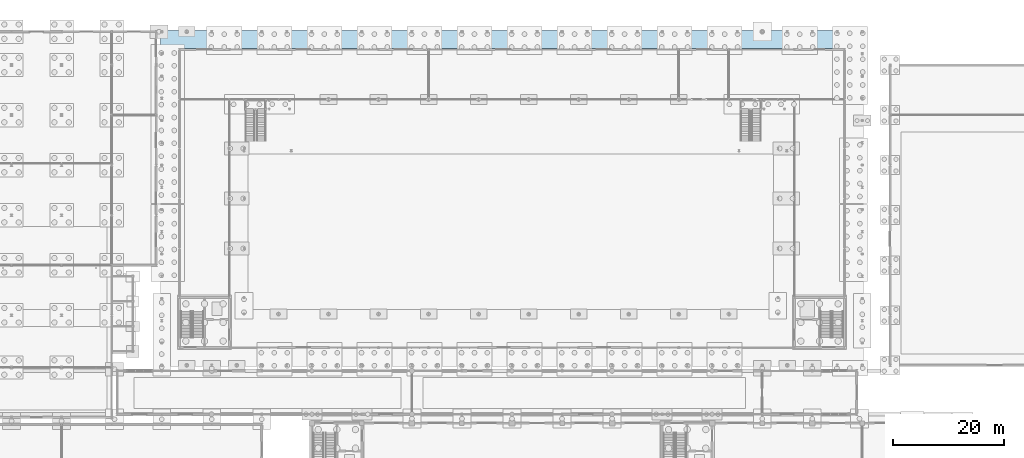
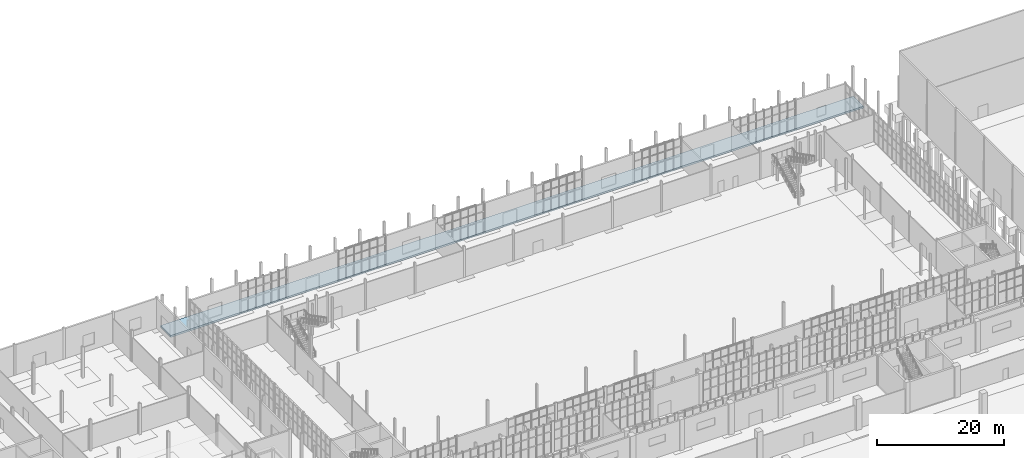
# One storey, part 87 of 131: 1 slab.
"""IFC4 building model written with IfcOpenShell, lengths in metres."""

import ifcopenshell
import ifcopenshell.guid

model = None  # the IFC model being written
_history = None  # IfcOwnerHistory: only IFC2X3 demands one
_inside = {}  # id of a spatial element -> (the spatial element, [elements in it])
_under = {}  # id of a project, library or spatial element -> (it, [spatial elements below it])
_declared = {}  # id of a project -> (the project, [libraries it declares])
_typed = {}  # id of a type object -> (the type object, [elements of that type])
_made_of = {}  # id of a material, layer set ... -> (it, [elements and type objects made of it])


def new_model(schema):
    """Start an empty IFC model of exactly this schema.

    Asked for "IFC4X3", IfcOpenShell would pick the latest addendum, in which some entities
    have other attributes; the version numbers below select the first issue.
    IFC2X3 requires an IfcOwnerHistory on every rooted entity: one is made here for all.
    """
    global model, _history
    if schema == "IFC4X3":
        model = ifcopenshell.file(schema_version=(4, 3, 0, 0))
    else:
        model = ifcopenshell.file(schema=schema)
    _inside.clear()
    _under.clear()
    _declared.clear()
    _typed.clear()
    _made_of.clear()
    _history = None
    if model.schema == "IFC2X3":
        org = make("IfcOrganization", Name="unknown")
        user = make(
            "IfcPersonAndOrganization",
            ThePerson=make("IfcPerson", FamilyName="unknown"),
            TheOrganization=org,
        )
        app = make(
            "IfcApplication",
            ApplicationDeveloper=org,
            Version="unknown",
            ApplicationFullName="unknown",
            ApplicationIdentifier="unknown",
        )
        _history = make(
            "IfcOwnerHistory",
            OwningUser=user,
            OwningApplication=app,
            ChangeAction="ADDED",
            CreationDate=0,
        )
    return model


def make(cls, **values):
    """One entity of the class cls with the attributes given. An attribute that is None is left unset."""
    return model.create_entity(
        cls, **{name: value for name, value in values.items() if value is not None}
    )


def rooted(cls, **values):
    """An entity with a GlobalId (a new one), such as an element, a storey or a relation."""
    return make(cls, GlobalId=ifcopenshell.guid.new(), OwnerHistory=_history, **values)


def si_unit(unit_type, name, prefix=None):
    """IfcSIUnit, for example si_unit("LENGTHUNIT", "METRE", prefix="MILLI")."""
    return make("IfcSIUnit", UnitType=unit_type, Prefix=prefix, Name=name)


def assignment(units):
    """IfcUnitAssignment: the units of a project."""
    return None if units is None else make("IfcUnitAssignment", Units=units)


def point(xyz):
    """IfcCartesianPoint."""
    return None if xyz is None else make("IfcCartesianPoint", Coordinates=xyz)


def direction(xyz):
    """IfcDirection."""
    return None if xyz is None else make("IfcDirection", DirectionRatios=xyz)


def frame(location, z_axis=None, x_axis=None):
    """IfcAxis2Placement3D, a coordinate frame: its origin and axes. An axis left out is left unset."""
    return make(
        "IfcAxis2Placement3D",
        Location=point(location),
        Axis=direction(z_axis),
        RefDirection=direction(x_axis),
    )


def origin():
    """The frame at (0, 0, 0) with its axes left unset."""
    return frame((0.0, 0.0, 0.0))


def place(relative_to, where):
    """IfcLocalPlacement: puts the frame where relative to a parent placement (None: the world)."""
    return make(
        "IfcLocalPlacement", PlacementRelTo=relative_to, RelativePlacement=where
    )


def context(
    kind, dimensions, precision=None, world=None, true_north=None, identifier=None
):
    """IfcGeometricRepresentationContext, for example the 3D "Model" context."""
    return make(
        "IfcGeometricRepresentationContext",
        ContextIdentifier=identifier,
        ContextType=kind,
        CoordinateSpaceDimension=dimensions,
        Precision=precision,
        WorldCoordinateSystem=world,
        TrueNorth=true_north,
    )


def subcontext(parent, identifier, kind, view, scale=None):
    """IfcGeometricRepresentationSubContext, for example "Body" below "Model"."""
    return make(
        "IfcGeometricRepresentationSubContext",
        ContextIdentifier=identifier,
        ContextType=kind,
        ParentContext=parent,
        TargetScale=scale,
        TargetView=view,
    )


def project(units=None, contexts=None):
    """IfcProject with its units and contexts."""
    return rooted(
        "IfcProject",
        Name="project",
        RepresentationContexts=contexts,
        UnitsInContext=assignment(units),
    )


def spatial(cls, under=None, at=None, **own):
    """A site, building, storey or space (cls), placed at a placement, below another one or the project."""
    s = rooted(cls, ObjectPlacement=at, **own)
    if under is not None:
        _under.setdefault(under.id(), (under, []))[1].append(s)
    return s


def polyline(points):
    """IfcPolyline through the points."""
    return make("IfcPolyline", Points=[point(p) for p in points])


def outline(outer, holes=None, kind="AREA"):
    """IfcArbitraryClosedProfileDef: a profile drawn as a closed curve; with holes, ...WithVoids."""
    if holes is None:
        return make("IfcArbitraryClosedProfileDef", ProfileType=kind, OuterCurve=outer)
    return make(
        "IfcArbitraryProfileDefWithVoids",
        ProfileType=kind,
        OuterCurve=outer,
        InnerCurves=holes,
    )


def extrude(swept, where, along, depth):
    """IfcExtrudedAreaSolid: the profile swept, set in the frame where, extruded along a direction by depth."""
    return make(
        "IfcExtrudedAreaSolid",
        SweptArea=swept,
        Position=where,
        ExtrudedDirection=direction(along),
        Depth=depth,
    )


def shape(context_of_items, identifier, shape_type, items):
    """IfcShapeRepresentation: the items that make up one representation, for example the "Body"."""
    return make(
        "IfcShapeRepresentation",
        ContextOfItems=context_of_items,
        RepresentationIdentifier=identifier,
        RepresentationType=shape_type,
        Items=items,
    )


def material(Name=None, Category=None):
    """IfcMaterial."""
    return make("IfcMaterial", Name=Name, Category=Category)


def layer(
    of_material, thickness, ventilated=None, Name=None, Category=None, Priority=None
):
    """IfcMaterialLayer: one layer of a wall or slab, of a material (None: an air gap)."""
    return make(
        "IfcMaterialLayer",
        Material=of_material,
        LayerThickness=thickness,
        IsVentilated=ventilated,
        Name=Name,
        Category=Category,
        Priority=Priority,
    )


def layer_set(layers, Name=None):
    """IfcMaterialLayerSet."""
    return make("IfcMaterialLayerSet", MaterialLayers=layers, LayerSetName=Name)


def made_of(thing, what):
    """Note that an element or type object is made of a material, layer set ...; save() writes the relation."""
    if what is not None:
        _made_of.setdefault(what.id(), (what, []))[1].append(thing)
    return thing


def type_object(cls, material=None, **own):
    """A type object (cls), such as IfcWallType, which elements share."""
    return made_of(rooted(cls, **own), material)


def element(
    cls,
    number,
    at=None,
    inside=None,
    cuts=None,
    type_object=None,
    material=None,
    context=None,
    identifier="Body",
    shape_type=None,
    held_by="IfcProductDefinitionShape",
    body=None,
    shapes=None,
    **own,
):
    """One element of the class cls, such as IfcWall. Its Tag is "e" and its number.

    at: its placement. inside: the storey or other place that contains it. cuts: it is an
    opening in that element (IfcRelVoidsElement). A single representation is given by context,
    identifier, shape_type and body (its items); several are given by shapes. held_by: the class
    of the entity that holds the representations. save() writes the other relations.
    """
    e = rooted(cls, Tag="e%d" % number, ObjectPlacement=at, **own)
    if body is not None:
        shapes = [shape(context, identifier, shape_type, body)]
    if shapes is not None:
        e.Representation = make(held_by, Representations=shapes)
    if inside is not None:
        _inside.setdefault(inside.id(), (inside, []))[1].append(e)
    if cuts is not None:
        rooted(
            "IfcRelVoidsElement", RelatingBuildingElement=cuts, RelatedOpeningElement=e
        )
    if type_object is not None:
        _typed.setdefault(type_object.id(), (type_object, []))[1].append(e)
    return made_of(e, material)


def aggregate(whole, parts):
    """IfcRelAggregates: a whole, such as a stair, and the parts it consists of."""
    return rooted("IfcRelAggregates", RelatingObject=whole, RelatedObjects=parts)


def save(model, path):
    """Write the relations noted so far, then the file.

    IfcRelAggregates (storeys below a building ...), IfcRelContainedInSpatialStructure (elements
    in a storey), IfcRelDefinesByType, IfcRelAssociatesMaterial and IfcRelDeclares: one each for
    every whole, place, type object, material and project.
    """
    for whole, parts in _under.values():
        aggregate(whole, parts)
    for where, things in _inside.values():
        rooted(
            "IfcRelContainedInSpatialStructure",
            RelatedElements=things,
            RelatingStructure=where,
        )
    for kind, things in _typed.values():
        rooted("IfcRelDefinesByType", RelatedObjects=things, RelatingType=kind)
    for what, things in _made_of.values():
        rooted("IfcRelAssociatesMaterial", RelatedObjects=things, RelatingMaterial=what)
    for by, libraries in _declared.values():
        rooted("IfcRelDeclares", RelatingContext=by, RelatedDefinitions=libraries)
    model.write(path)


model = new_model("IFC4")

# Units and contexts
model_context = context("Model", 3, precision=1e-05, world=origin(), true_north=direction((0.0, 1.0)))
body_context = subcontext(model_context, "Body", "Model", "MODEL_VIEW")
ifc_project = project(units=[si_unit("LENGTHUNIT", "METRE"), si_unit("AREAUNIT", "SQUARE_METRE"), si_unit("VOLUMEUNIT", "CUBIC_METRE"), si_unit("PLANEANGLEUNIT", "RADIAN"), si_unit("MASSUNIT", "GRAM", prefix="KILO")], contexts=[model_context])

# Site, building, storey
site_placement = place(None, origin())
site = spatial("IfcSite", under=ifc_project, at=site_placement, CompositionType="ELEMENT")
building_placement = place(site_placement, origin())
building = spatial("IfcBuilding", under=site, at=building_placement, Name="Cazmaro Siding Exhibition Halls", CompositionType="ELEMENT")
storey_placement = place(building_placement, origin())
storey = spatial("IfcBuildingStorey", under=building, at=storey_placement, Name="L00", CompositionType="ELEMENT", Elevation=0.0)

# Slab
ifc_material = material(Name="Concrete f'c 35 MPa", Category="concrete")
ifc_layer = layer(ifc_material, 0.35009765625)
ifc_layer_set = layer_set([ifc_layer], Name="Concrete f'c 35 MPa")
slab_type = type_object("IfcSlabType", Name="BS-03", PredefinedType="BASESLAB", material=ifc_layer_set)
slab_placement = place(storey_placement, frame((0.0, 0.0, -0.35009765625)))
element("IfcSlab", 1, at=slab_placement, inside=storey, type_object=slab_type, Name="North colonnade walkway slab BS-03 SLB-0004", PredefinedType="BASESLAB", context=body_context, shape_type="SweptSolid", body=[
    extrude(outline(polyline([(44.800048828125, 121.0), (171.199951171875, 121.0), (171.199951171875, 124.199951171875), (44.800048828125, 124.199951171875), (44.800048828125, 121.0)])), origin(), (0.0, 0.0, 1.0), 0.35009765625),
])

save(model, "model.ifc")
